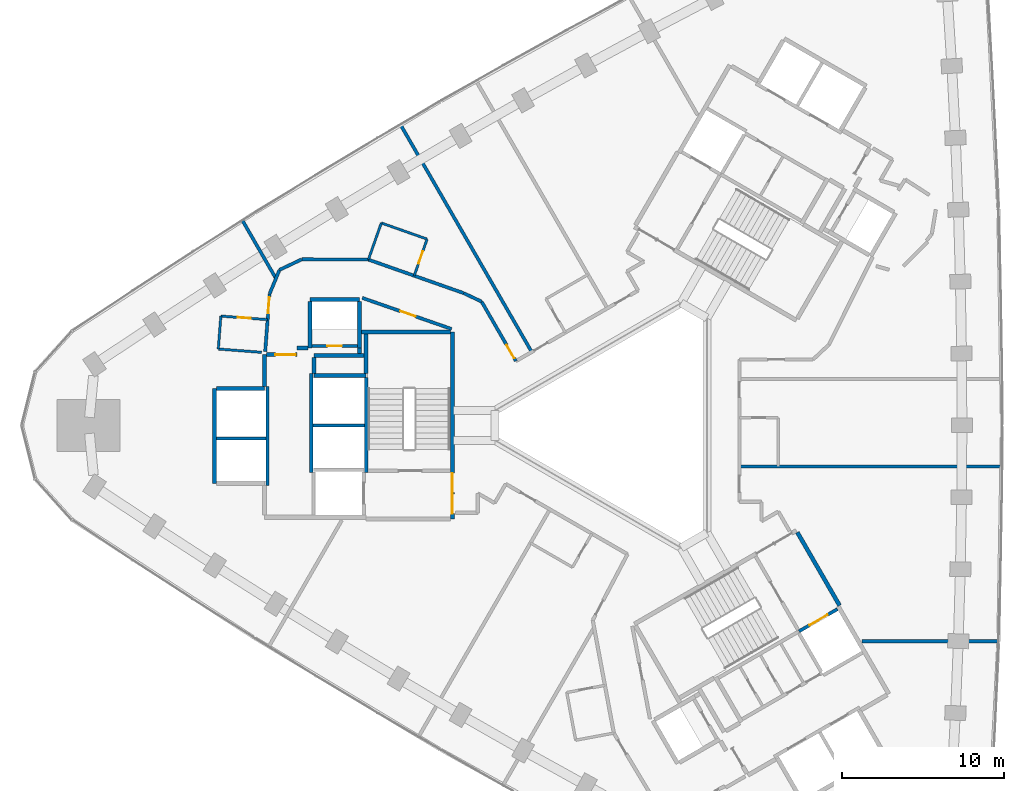
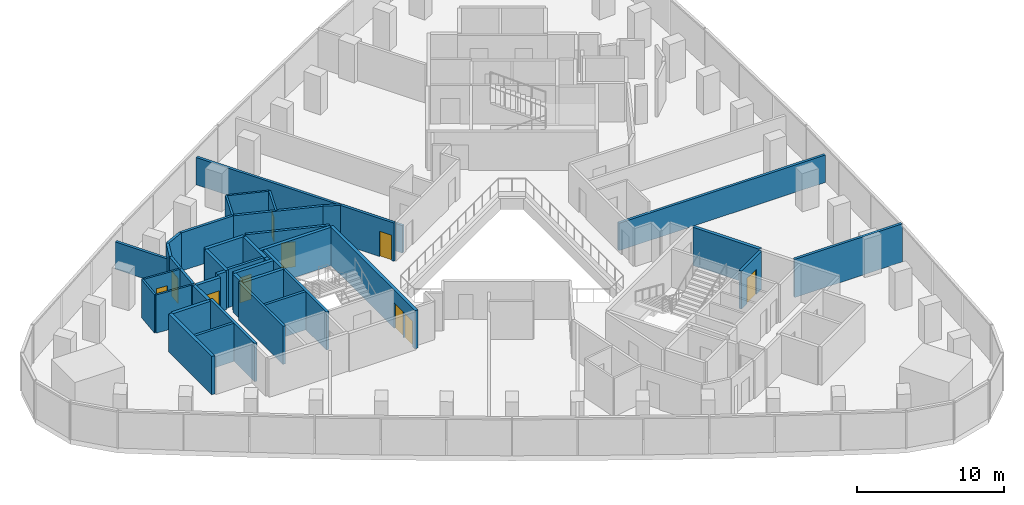
# One storey, part 9 of 12: 41 walls, 10 doors, 10 openings.
"""IFC4 building model written with IfcOpenShell, lengths in metres."""

from ifc_helpers import new_model, si_unit, direction, frame, frame_2d, origin, place, context, subcontext, project, spatial, rectangle, extrude, material, layer, layer_set, type_object, element, fill, save


model = new_model("IFC4")

# Units and contexts
model_context = context("Model", 3, precision=1e-05, world=origin(), true_north=direction((0.0, 1.0)))
body_context = subcontext(model_context, "Body", "Model", "MODEL_VIEW")
ifc_project = project(units=[si_unit("LENGTHUNIT", "METRE"), si_unit("AREAUNIT", "SQUARE_METRE"), si_unit("VOLUMEUNIT", "CUBIC_METRE"), si_unit("PLANEANGLEUNIT", "RADIAN"), si_unit("MASSUNIT", "GRAM", prefix="KILO")], contexts=[model_context])

# Site, building, storey
site_placement = place(None, origin())
site = spatial("IfcSite", under=ifc_project, at=site_placement, CompositionType="ELEMENT")
building_placement = place(site_placement, origin())
building = spatial("IfcBuilding", under=site, at=building_placement, Name="Tamra Quay Hotel Tower", CompositionType="ELEMENT")
storey_placement = place(building_placement, frame((0.0, 0.0, 93.800048828125)))
storey = spatial("IfcBuildingStorey", under=building, at=storey_placement, Name="L22", CompositionType="ELEMENT", Elevation=93.800048828125)

# Walls
ifc_material_1 = material(Name="Concrete M70", Category="concrete")
ifc_layer_1 = layer(ifc_material_1, 0.199951171875)
ifc_layer_set_1 = layer_set([ifc_layer_1], Name="Concrete M70 core wall 200")
wall_type_1 = type_object("IfcWallType", Name="Concrete M70 core wall 200", PredefinedType="SHEAR", material=ifc_layer_set_1)
wall_1_placement = place(storey_placement, frame((-16.162109375, 2.95068359375, 0.0), z_axis=(0.0, 0.0, 1.0), x_axis=(0.0, -1.0, 0.0)))
element("IfcWall", 1, at=wall_1_placement, inside=storey, type_object=wall_type_1, Name="CW2", PredefinedType="SHEAR", context=body_context, shape_type="SweptSolid", body=[
    extrude(rectangle(XDim=5.850830078125, YDim=0.199951171875, at=frame_2d((2.92529296875, 0.0))), origin(), (0.0, 0.0, 1.0), 3.175048828125),
])
for number, where, z_axis, x_axis, name in (
    (2, (-19.5625, -2.900146484375, 0.0), (0.0, 0.0, 1.0), (0.0, 1.0, 0.0), "CW2"),
    (3, (-22.26220703125, 2.400146484375, 0.0), (0.0, 0.0, 1.0), (0.0, -1.0, 0.0), "CW2"),
):
    element("IfcWall", number, at=place(storey_placement, frame(where, z_axis=z_axis, x_axis=x_axis)), inside=storey, type_object=wall_type_1, Name=name, PredefinedType="SHEAR", context=body_context, shape_type="SweptSolid", body=[
        extrude(rectangle(XDim=6.100341796875, YDim=0.199951171875, at=frame_2d((3.05029296875, 0.0))), origin(), (0.0, 0.0, 1.0), 3.175048828125),
    ])
wall_2_placement = place(storey_placement, frame((-16.26318359375, 0.0, 0.0), z_axis=(0.0, 0.0, 1.0), x_axis=(-1.0, 0.0, 0.0)))
element("IfcWall", 4, at=wall_2_placement, inside=storey, type_object=wall_type_1, Name="CW2", PredefinedType="SHEAR", context=body_context, shape_type="SweptSolid", body=[
    extrude(rectangle(XDim=3.1982421875, YDim=0.199951171875, at=frame_2d((1.59912109375, 0.0))), origin(), (0.0, 0.0, 1.0), 3.175048828125),
])
wall_3_placement = place(storey_placement, frame((-22.36328125, -0.800048828125, 0.0), z_axis=(0.0, 0.0, 1.0), x_axis=(-1.0, 0.0, 0.0)))
element("IfcWall", 5, at=wall_3_placement, inside=storey, type_object=wall_type_1, Name="CW2", PredefinedType="SHEAR", context=body_context, shape_type="SweptSolid", body=[
    extrude(rectangle(XDim=3.048095703125, YDim=0.199951171875, at=frame_2d((1.52392578125, 0.0))), origin(), (0.0, 0.0, 1.0), 3.175048828125),
])

# Wall, opening, door
wall_4_placement = place(storey_placement, frame((-19.51123046875, 4.91015625, 0.0), z_axis=(0.0, 0.0, 1.0), x_axis=(1.0, 0.0, 0.0)))
wall_4 = element("IfcWall", 6, at=wall_4_placement, inside=storey, type_object=wall_type_1, Name="CW2", PredefinedType="SHEAR", context=body_context, shape_type="SweptSolid", body=[
    extrude(rectangle(XDim=2.7978515625, YDim=0.199951171875, at=frame_2d((1.39892578125, 0.0))), origin(), (0.0, 0.0, 1.0), 3.175048828125),
])
opening_1_placement = place(wall_4_placement, frame((0.948974609375, 0.0, 0.0)))
opening_1 = element("IfcOpeningElement", 7, at=opening_1_placement, cuts=wall_4, Name="Opening D1", PredefinedType="OPENING", context=body_context, shape_type="SweptSolid", body=[
    extrude(rectangle(XDim=0.89990234375, YDim=2.10009765625, at=frame_2d((0.449951171875, 1.050048828125))), frame((0.0, 0.10986328125, 0.0), z_axis=(0.0, -1.0, 0.0), x_axis=(1.0, 0.0, 0.0)), (0.0, 0.0, 1.0), 0.219970703125),
])
ifc_material_2 = material(Name="Core door D1 900x2100 RH")
door_type_1 = type_object("IfcDoorType", Name="Core door D1 900x2100 RH", OperationType="NOTDEFINED", PredefinedType="DOOR", material=ifc_material_2)
door_1_placement = place(opening_1_placement, origin())
door_1 = element("IfcDoor", 8, at=door_1_placement, inside=storey, type_object=door_type_1, Name="D1", OperationType="SINGLE_SWING_RIGHT", OverallHeight=2.10009765625, OverallWidth=0.89990234375, PredefinedType="DOOR", context=body_context, shape_type="SweptSolid", body=[
    extrude(rectangle(XDim=0.89990234375, YDim=2.10009765625, at=frame_2d((0.449951171875, 1.050048828125))), frame((0.0, 0.02490234375, 0.0), z_axis=(0.0, -1.0, 0.0), x_axis=(1.0, 0.0, 0.0)), (0.0, 0.0, 1.0), 0.050048828125),
])
fill(opening_1, door_1)

wall_5_placement = place(storey_placement, frame((10.587158203125, -12.72314453125, 0.0), z_axis=(0.0, 0.0, 1.0), x_axis=(0.866037306777, 0.499979382845, 0.0)))
wall_5 = element("IfcWall", 9, at=wall_5_placement, inside=storey, type_object=wall_type_1, Name="CW2", PredefinedType="SHEAR", context=body_context, shape_type="SweptSolid", body=[
    extrude(rectangle(XDim=2.74169921875, YDim=0.199951171875, at=frame_2d((1.370849609375, 0.0))), origin(), (0.0, 0.0, 1.0), 3.175048828125),
])
opening_2_placement = place(wall_5_placement, frame((0.742919921875, 0.0, 0.0)))
opening_2 = element("IfcOpeningElement", 10, at=opening_2_placement, cuts=wall_5, Name="Opening LD", PredefinedType="OPENING", context=body_context, shape_type="SweptSolid", body=[
    extrude(rectangle(XDim=1.300048828125, YDim=2.10009765625, at=frame_2d((0.64990234375, 1.050048828125))), frame((0.0, 0.10986328125, 0.0), z_axis=(0.0, -1.0, 0.0), x_axis=(1.0, 0.0, 0.0)), (0.0, 0.0, 1.0), 0.219970703125),
])
ifc_material_3 = material(Name="Landing door LD 1300 sliding to right")
door_type_2 = type_object("IfcDoorType", Name="Landing door LD 1300 sliding to right", OperationType="NOTDEFINED", PredefinedType="DOOR", material=ifc_material_3)
door_2_placement = place(opening_2_placement, origin())
door_2 = element("IfcDoor", 11, at=door_2_placement, inside=storey, type_object=door_type_2, Name="LD", OperationType="SLIDING_TO_RIGHT", OverallHeight=2.10009765625, OverallWidth=1.300048828125, PredefinedType="DOOR", context=body_context, shape_type="SweptSolid", body=[
    extrude(rectangle(XDim=1.300048828125, YDim=2.10009765625, at=frame_2d((0.64990234375, 1.050048828125))), frame((0.0, 0.02490234375, 0.0), z_axis=(0.0, -1.0, 0.0), x_axis=(1.0, 0.0, 0.0)), (0.0, 0.0, 1.0), 0.050048828125),
])
fill(opening_2, door_2)

# Wall, openings, doors
ifc_layer_2 = layer(ifc_material_1, 0.25)
ifc_layer_set_2 = layer_set([ifc_layer_2], Name="Concrete M70 core wall 250")
wall_type_2 = type_object("IfcWallType", Name="Concrete M70 core wall 250", PredefinedType="SHEAR", material=ifc_layer_set_2)
wall_6_placement = place(storey_placement, frame((-10.83740234375, 5.77490234375, 0.0), z_axis=(0.0, 0.0, 1.0), x_axis=(0.0, -1.0, 0.0)))
wall_6 = element("IfcWall", 12, at=wall_6_placement, inside=storey, type_object=wall_type_2, Name="CW1", PredefinedType="SHEAR", context=body_context, shape_type="SweptSolid", body=[
    extrude(rectangle(XDim=11.5498046875, YDim=0.25, at=frame_2d((5.77490234375, 0.0))), origin(), (0.0, 0.0, 1.0), 3.175048828125),
])
opening_3_placement = place(wall_6_placement, frame((10.02490234375, 0.0, 0.0)))
opening_3 = element("IfcOpeningElement", 13, at=opening_3_placement, cuts=wall_6, Name="Opening FD1", PredefinedType="OPENING", context=body_context, shape_type="SweptSolid", body=[
    extrude(rectangle(XDim=1.199951171875, YDim=2.10009765625, at=frame_2d((0.60009765625, 1.050048828125))), frame((0.0, 0.135009765625, 0.0), z_axis=(0.0, -1.0, 0.0), x_axis=(1.0, 0.0, 0.0)), (0.0, 0.0, 1.0), 0.27001953125),
])
opening_4_placement = place(wall_6_placement, frame((8.72509765625, 0.0, 0.0)))
opening_4 = element("IfcOpeningElement", 14, at=opening_4_placement, cuts=wall_6, Name="Opening FD1", PredefinedType="OPENING", context=body_context, shape_type="SweptSolid", body=[
    extrude(rectangle(XDim=1.199951171875, YDim=2.10009765625, at=frame_2d((0.60009765625, 1.050048828125))), frame((0.0, 0.135009765625, 0.0), z_axis=(0.0, -1.0, 0.0), x_axis=(1.0, 0.0, 0.0)), (0.0, 0.0, 1.0), 0.27001953125),
])
ifc_material_4 = material(Name="Core door FD1 1200x2100 LH")
door_type_3 = type_object("IfcDoorType", Name="Core door FD1 1200x2100 LH", OperationType="NOTDEFINED", PredefinedType="DOOR", material=ifc_material_4)
door_3_placement = place(opening_3_placement, origin())
door_3 = element("IfcDoor", 15, at=door_3_placement, inside=storey, type_object=door_type_3, Name="FD1", OperationType="SINGLE_SWING_LEFT", OverallHeight=2.10009765625, OverallWidth=1.199951171875, PredefinedType="DOOR", context=body_context, shape_type="SweptSolid", body=[
    extrude(rectangle(XDim=1.199951171875, YDim=2.10009765625, at=frame_2d((0.60009765625, 1.050048828125))), frame((0.0, 0.02490234375, 0.0), z_axis=(0.0, -1.0, 0.0), x_axis=(1.0, 0.0, 0.0)), (0.0, 0.0, 1.0), 0.050048828125),
])
fill(opening_3, door_3)
ifc_material_5 = material(Name="Core door FD1 1200x2100 RH")
door_type_4 = type_object("IfcDoorType", Name="Core door FD1 1200x2100 RH", OperationType="NOTDEFINED", PredefinedType="DOOR", material=ifc_material_5)
door_4_placement = place(opening_4_placement, origin())
door_4 = element("IfcDoor", 16, at=door_4_placement, inside=storey, type_object=door_type_4, Name="FD1", OperationType="SINGLE_SWING_RIGHT", OverallHeight=2.10009765625, OverallWidth=1.199951171875, PredefinedType="DOOR", context=body_context, shape_type="SweptSolid", body=[
    extrude(rectangle(XDim=1.199951171875, YDim=2.10009765625, at=frame_2d((0.60009765625, 1.050048828125))), frame((0.0, 0.02490234375, 0.0), z_axis=(0.0, -1.0, 0.0), x_axis=(1.0, 0.0, 0.0)), (0.0, 0.0, 1.0), 0.050048828125),
])
fill(opening_4, door_4)

# Walls
wall_7_placement = place(storey_placement, frame((-25.537353515625, -3.574951171875, 0.0), z_axis=(0.0, 0.0, 1.0), x_axis=(0.0, 1.0, 0.0)))
element("IfcWall", 17, at=wall_7_placement, inside=storey, type_object=wall_type_2, Name="CW1", PredefinedType="SHEAR", context=body_context, shape_type="SweptSolid", body=[
    extrude(rectangle(XDim=5.849853515625, YDim=0.25, at=frame_2d((2.9248046875, 0.0))), origin(), (0.0, 0.0, 1.0), 3.175048828125),
])
wall_8_placement = place(storey_placement, frame((-16.47216796875, 5.77490234375, 0.0), z_axis=(0.0, 0.0, 1.0), x_axis=(1.0, 0.0, 0.0)))
element("IfcWall", 18, at=wall_8_placement, inside=storey, type_object=wall_type_2, Name="CW1", PredefinedType="SHEAR", context=body_context, shape_type="SweptSolid", body=[
    extrude(rectangle(XDim=5.509521484375, YDim=0.25, at=frame_2d((2.7548828125, 0.0))), origin(), (0.0, 0.0, 1.0), 3.175048828125),
])
wall_9_placement = place(storey_placement, frame((-19.38720703125, 3.074951171875, 0.0), z_axis=(0.0, 0.0, 1.0), x_axis=(1.0, 0.0, 0.0)))
element("IfcWall", 19, at=wall_9_placement, inside=storey, type_object=wall_type_2, Name="CW1", PredefinedType="SHEAR", context=body_context, shape_type="SweptSolid", body=[
    extrude(rectangle(XDim=3.199951171875, YDim=0.25, at=frame_2d((1.60009765625, 0.0))), origin(), (0.0, 0.0, 1.0), 3.175048828125),
])
wall_10_placement = place(storey_placement, frame((-25.411865234375, 2.27490234375, 0.0), z_axis=(0.0, 0.0, 1.0), x_axis=(1.0, 0.0, 0.0)))
element("IfcWall", 20, at=wall_10_placement, inside=storey, type_object=wall_type_2, Name="CW1", PredefinedType="SHEAR", context=body_context, shape_type="SweptSolid", body=[
    extrude(rectangle(XDim=2.974609375, YDim=0.25, at=frame_2d((1.4873046875, 0.0))), origin(), (0.0, 0.0, 1.0), 3.175048828125),
])
wall_11_placement = place(storey_placement, frame((-19.63720703125, 7.77490234375, 0.0), z_axis=(0.0, 0.0, 1.0), x_axis=(1.0, 0.0, 0.0)))
element("IfcWall", 21, at=wall_11_placement, inside=storey, type_object=wall_type_2, Name="CW1", PredefinedType="SHEAR", context=body_context, shape_type="SweptSolid", body=[
    extrude(rectangle(XDim=3.0498046875, YDim=0.25, at=frame_2d((1.52490234375, 0.0))), origin(), (0.0, 0.0, 1.0), 3.175048828125),
])
for number, where, z_axis, x_axis, name in (
    (22, (-16.58740234375, 7.649658203125, 0.0), (0.0, 0.0, 1.0), (0.0, -1.0, 0.0), "CW1"),
    (23, (-19.63720703125, 4.784912109375, 0.0), (0.0, 0.0, 1.0), (0.0, 1.0, 0.0), "CW1"),
):
    element("IfcWall", number, at=place(storey_placement, frame(where, z_axis=z_axis, x_axis=x_axis)), inside=storey, type_object=wall_type_2, Name=name, PredefinedType="SHEAR", context=body_context, shape_type="SweptSolid", body=[
        extrude(rectangle(XDim=2.86474609375, YDim=0.25, at=frame_2d((1.432373046875, 0.0))), origin(), (0.0, 0.0, 1.0), 3.175048828125),
    ])
wall_12_placement = place(storey_placement, frame((-16.30224609375, 4.31494140625, 0.0), z_axis=(0.0, 0.0, 1.0), x_axis=(-1.0, 0.0, 0.0)))
element("IfcWall", 24, at=wall_12_placement, inside=storey, type_object=wall_type_2, Name="CW1", PredefinedType="SHEAR", context=body_context, shape_type="SweptSolid", body=[
    extrude(rectangle(XDim=3.0849609375, YDim=0.25, at=frame_2d((1.54248046875, 0.0))), origin(), (0.0, 0.0, 1.0), 3.175048828125),
])
wall_13_placement = place(storey_placement, frame((-16.187255859375, 3.200439453125, 0.0), z_axis=(0.0, 0.0, 1.0), x_axis=(0.0, 1.0, 0.0)))
element("IfcWall", 25, at=wall_13_placement, inside=storey, type_object=wall_type_2, Name="CW1", PredefinedType="SHEAR", context=body_context, shape_type="SweptSolid", body=[
    extrude(rectangle(XDim=2.44921875, YDim=0.25, at=frame_2d((1.224609375, 0.0))), origin(), (0.0, 0.0, 1.0), 3.175048828125),
])
wall_14_placement = place(storey_placement, frame((-22.437255859375, 2.400390625, 0.0), z_axis=(0.0, 0.0, 1.0), x_axis=(0.0, 1.0, 0.0)))
element("IfcWall", 26, at=wall_14_placement, inside=storey, type_object=wall_type_2, Name="CW1", PredefinedType="SHEAR", context=body_context, shape_type="SweptSolid", body=[
    extrude(rectangle(XDim=1.974609375, YDim=0.25, at=frame_2d((0.9873046875, 0.0))), origin(), (0.0, 0.0, 1.0), 3.175048828125),
])

# Wall, opening, door
wall_15_placement = place(storey_placement, frame((-22.311767578125, 4.375, 0.0), z_axis=(0.0, 0.0, 1.0), x_axis=(1.0, 0.0, 0.0)))
wall_15 = element("IfcWall", 27, at=wall_15_placement, inside=storey, type_object=wall_type_2, Name="CW1", PredefinedType="SHEAR", context=body_context, shape_type="SweptSolid", body=[
    extrude(rectangle(XDim=1.864501953125, YDim=0.25, at=frame_2d((0.93212890625, 0.0))), origin(), (0.0, 0.0, 1.0), 3.175048828125),
])
opening_5_placement = place(wall_15_placement, frame((0.53466796875, 0.0, 0.0)))
opening_5 = element("IfcOpeningElement", 28, at=opening_5_placement, cuts=wall_15, Name="Opening FD3", PredefinedType="OPENING", context=body_context, shape_type="SweptSolid", body=[
    extrude(rectangle(XDim=1.25, YDim=2.10009765625, at=frame_2d((0.625, 1.050048828125))), frame((0.0, 0.135009765625, 0.0), z_axis=(0.0, -1.0, 0.0), x_axis=(1.0, 0.0, 0.0)), (0.0, 0.0, 1.0), 0.27001953125),
])
ifc_material_6 = material(Name="Core door FD3 1250x2100 LH")
door_type_5 = type_object("IfcDoorType", Name="Core door FD3 1250x2100 LH", OperationType="NOTDEFINED", PredefinedType="DOOR", material=ifc_material_6)
door_5_placement = place(opening_5_placement, origin())
door_5 = element("IfcDoor", 29, at=door_5_placement, inside=storey, type_object=door_type_5, Name="FD3", OperationType="SINGLE_SWING_LEFT", OverallHeight=2.10009765625, OverallWidth=1.25, PredefinedType="DOOR", context=body_context, shape_type="SweptSolid", body=[
    extrude(rectangle(XDim=1.25, YDim=2.10009765625, at=frame_2d((0.625, 1.050048828125))), frame((0.0, 0.02490234375, 0.0), z_axis=(0.0, -1.0, 0.0), x_axis=(1.0, 0.0, 0.0)), (0.0, 0.0, 1.0), 0.050048828125),
])
fill(opening_5, door_5)

# Walls
wall_16_placement = place(storey_placement, frame((-19.38720703125, 4.189697265625, 0.0), z_axis=(0.0, 0.0, 1.0), x_axis=(0.0, -1.0, 0.0)))
element("IfcWall", 30, at=wall_16_placement, inside=storey, type_object=wall_type_2, Name="CW1", PredefinedType="SHEAR", context=body_context, shape_type="SweptSolid", body=[
    extrude(rectangle(XDim=0.9892578125, YDim=0.25, at=frame_2d((0.49462890625, 0.0))), origin(), (0.0, 0.0, 1.0), 3.175048828125),
])
wall_17_placement = place(storey_placement, frame((-20.447265625, 4.784912109375, 0.0), z_axis=(0.0, 0.0, 1.0), x_axis=(1.0, 0.0, 0.0)))
element("IfcWall", 31, at=wall_17_placement, inside=storey, type_object=wall_type_2, Name="CW1", PredefinedType="SHEAR", context=body_context, shape_type="SweptSolid", body=[
    extrude(rectangle(XDim=0.6845703125, YDim=0.25, at=frame_2d((0.34228515625, 0.0))), origin(), (0.0, 0.0, 1.0), 3.175048828125),
])
wall_18_placement = place(storey_placement, frame((-16.577392578125, 4.784912109375, 0.0), z_axis=(0.0, 0.0, 1.0), x_axis=(0.0, -1.0, 0.0)))
element("IfcWall", 32, at=wall_18_placement, inside=storey, type_object=wall_type_2, Name="CW1", PredefinedType="SHEAR", context=body_context, shape_type="SweptSolid", body=[
    extrude(rectangle(XDim=0.344482421875, YDim=0.25, at=frame_2d((0.17236328125, 0.0))), origin(), (0.0, 0.0, 1.0), 3.175048828125),
])
wall_19_placement = place(storey_placement, frame((10.482666015625, -6.6064453125, 0.0), z_axis=(0.0, 0.0, 1.0), x_axis=(0.49999885962, -0.866026062182, 0.0)))
element("IfcWall", 33, at=wall_19_placement, inside=storey, type_object=wall_type_2, Name="CW1", PredefinedType="SHEAR", context=body_context, shape_type="SweptSolid", body=[
    extrude(rectangle(XDim=5.224609375, YDim=0.25, at=frame_2d((2.6123046875, 0.0))), origin(), (0.0, 0.0, 1.0), 3.175048828125),
])

# Wall, opening, door
ifc_material_7 = material(Name="Partition corridor wall")
ifc_layer_3 = layer(ifc_material_7, 0.199951171875)
ifc_layer_set_3 = layer_set([ifc_layer_3], Name="Partition corridor wall")
wall_type_3 = type_object("IfcWallType", Name="Partition corridor wall", PredefinedType="PARTITIONING", material=ifc_layer_set_3)
wall_20_placement = place(storey_placement, frame((-22.40625, 4.56005859375, 0.0), z_axis=(0.0, 0.0, 1.0), x_axis=(0.075763016136, 0.997125852331, 0.0)))
wall_20 = element("IfcWall", 34, at=wall_20_placement, inside=storey, type_object=wall_type_3, Name="W-C", PredefinedType="PARTITIONING", context=body_context, shape_type="SweptSolid", body=[
    extrude(rectangle(XDim=3.580078125, YDim=0.199951171875, at=frame_2d((1.7900390625, 0.0))), origin(), (0.0, 0.0, 1.0), 3.175048828125),
])
opening_6_placement = place(wall_20_placement, frame((2.38037109375, 0.0, 0.0)))
opening_6 = element("IfcOpeningElement", 35, at=opening_6_placement, cuts=wall_20, Name="Opening L22-D011", PredefinedType="OPENING", context=body_context, shape_type="SweptSolid", body=[
    extrude(rectangle(XDim=1.0, YDim=2.10009765625, at=frame_2d((0.5, 1.050048828125))), frame((0.0, 0.10986328125, 0.0), z_axis=(0.0, -1.0, 0.0), x_axis=(1.0, 0.0, 0.0)), (0.0, 0.0, 1.0), 0.219970703125),
])
ifc_material_8 = material(Name="Door guest room 1000x2100")
door_type_6 = type_object("IfcDoorType", Name="Door guest room 1000x2100", OperationType="NOTDEFINED", PredefinedType="DOOR", material=ifc_material_8)
door_6_placement = place(opening_6_placement, origin())
door_6 = element("IfcDoor", 36, at=door_6_placement, inside=storey, type_object=door_type_6, Name="L22-D011", OperationType="SINGLE_SWING_LEFT", OverallHeight=2.10009765625, OverallWidth=1.0, PredefinedType="DOOR", context=body_context, shape_type="SweptSolid", body=[
    extrude(rectangle(XDim=1.0, YDim=2.10009765625, at=frame_2d((0.5, 1.050048828125))), frame((0.0, 0.02490234375, 0.0), z_axis=(0.0, -1.0, 0.0), x_axis=(1.0, 0.0, 0.0)), (0.0, 0.0, 1.0), 0.050048828125),
])
fill(opening_6, door_6)

# Walls
wall_21_placement = place(storey_placement, frame((-22.13330078125, 8.13330078125, 0.0), z_axis=(0.0, 0.0, 1.0), x_axis=(0.382136457598, 0.924105907229, 0.0)))
element("IfcWall", 37, at=wall_21_placement, inside=storey, type_object=wall_type_3, Name="W-C", PredefinedType="PARTITIONING", context=body_context, shape_type="SweptSolid", body=[
    extrude(rectangle(XDim=1.602294921875, YDim=0.199951171875, at=frame_2d((0.80126953125, 0.0))), origin(), (0.0, 0.0, 1.0), 3.175048828125),
])
wall_22_placement = place(storey_placement, frame((-21.52099609375, 9.614013671875, 0.0), z_axis=(0.0, 0.0, 1.0), x_axis=(0.904083527367, 0.427355795028, 0.0)))
element("IfcWall", 38, at=wall_22_placement, inside=storey, type_object=wall_type_3, Name="W-C", PredefinedType="PARTITIONING", context=body_context, shape_type="SweptSolid", body=[
    extrude(rectangle(XDim=1.52294921875, YDim=0.199951171875, at=frame_2d((0.761474609375, 0.0))), origin(), (0.0, 0.0, 1.0), 3.175048828125),
])
wall_23_placement = place(storey_placement, frame((-20.14306640625, 10.26611328125, 0.0), z_axis=(0.0, 0.0, 1.0), x_axis=(0.999989297417, -0.004626559416, 0.0)))
element("IfcWall", 39, at=wall_23_placement, inside=storey, type_object=wall_type_3, Name="W-C", PredefinedType="PARTITIONING", context=body_context, shape_type="SweptSolid", body=[
    extrude(rectangle(XDim=4.115966796875, YDim=0.199951171875, at=frame_2d((2.05810546875, 0.0))), origin(), (0.0, 0.0, 1.0), 3.175048828125),
])

# Wall, opening, door
wall_24_placement = place(storey_placement, frame((-16.40234375, 7.879150390625, 0.0), z_axis=(0.0, 0.0, 1.0), x_axis=(0.94449961557, -0.328512520596, 0.0)))
wall_24 = element("IfcWall", 40, at=wall_24_placement, inside=storey, type_object=wall_type_3, Name="W-C", PredefinedType="PARTITIONING", context=body_context, shape_type="SweptSolid", body=[
    extrude(rectangle(XDim=5.842041015625, YDim=0.199951171875, at=frame_2d((2.9208984375, 0.0))), origin(), (0.0, 0.0, 1.0), 3.175048828125),
])
opening_7_placement = place(wall_24_placement, frame((2.47900390625, 0.0, 0.0)))
opening_7 = element("IfcOpeningElement", 41, at=opening_7_placement, cuts=wall_24, Name="Opening L22-D008", PredefinedType="OPENING", context=body_context, shape_type="SweptSolid", body=[
    extrude(rectangle(XDim=1.0, YDim=2.10009765625, at=frame_2d((0.5, 1.050048828125))), frame((0.0, 0.10986328125, 0.0), z_axis=(0.0, -1.0, 0.0), x_axis=(1.0, 0.0, 0.0)), (0.0, 0.0, 1.0), 0.219970703125),
])
door_7_placement = place(opening_7_placement, frame((1.0, 0.0, 0.0), z_axis=(0.0, 0.0, 1.0), x_axis=(-1.0, 0.0, 0.0)))
door_7 = element("IfcDoor", 42, at=door_7_placement, inside=storey, type_object=door_type_6, Name="L22-D008", OperationType="SINGLE_SWING_LEFT", OverallHeight=2.10009765625, OverallWidth=1.0, PredefinedType="DOOR", context=body_context, shape_type="SweptSolid", body=[
    extrude(rectangle(XDim=1.0, YDim=2.10009765625, at=frame_2d((0.5, 1.050048828125))), frame((0.0, 0.02490234375, 0.0), z_axis=(0.0, -1.0, 0.0), x_axis=(1.0, 0.0, 0.0)), (0.0, 0.0, 1.0), 0.050048828125),
])
fill(opening_7, door_7)

# Walls
wall_25_placement = place(storey_placement, frame((-16.026123046875, 10.246826171875, 0.0), z_axis=(0.0, 0.0, 1.0), x_axis=(0.943319426768, -0.331886214057, 0.0)))
element("IfcWall", 43, at=wall_25_placement, inside=storey, type_object=wall_type_3, Name="W-C", PredefinedType="PARTITIONING", context=body_context, shape_type="SweptSolid", body=[
    extrude(rectangle(XDim=6.236572265625, YDim=0.199951171875, at=frame_2d((3.1181640625, 0.0))), origin(), (0.0, 0.0, 1.0), 3.175048828125),
])
wall_26_placement = place(storey_placement, frame((-10.14306640625, 8.177001953125, 0.0), z_axis=(0.0, 0.0, 1.0), x_axis=(0.904033154172, -0.427462344726, 0.0)))
element("IfcWall", 44, at=wall_26_placement, inside=storey, type_object=wall_type_3, Name="W-C", PredefinedType="PARTITIONING", context=body_context, shape_type="SweptSolid", body=[
    extrude(rectangle(XDim=1.22802734375, YDim=0.199951171875, at=frame_2d((0.614013671875, 0.0))), origin(), (0.0, 0.0, 1.0), 3.175048828125),
])

# Wall, opening, door
wall_27_placement = place(storey_placement, frame((-9.032958984375, 7.652099609375, 0.0), z_axis=(0.0, 0.0, 1.0), x_axis=(0.500049463259, -0.865996844275, 0.0)))
wall_27 = element("IfcWall", 45, at=wall_27_placement, inside=storey, type_object=wall_type_3, Name="W-C", PredefinedType="PARTITIONING", context=body_context, shape_type="SweptSolid", body=[
    extrude(rectangle(XDim=4.24365234375, YDim=0.199951171875, at=frame_2d((2.121826171875, 0.0))), origin(), (0.0, 0.0, 1.0), 3.175048828125),
])
opening_8_placement = place(wall_27_placement, frame((3.093505859375, 0.0, 0.0)))
opening_8 = element("IfcOpeningElement", 46, at=opening_8_placement, cuts=wall_27, Name="Opening L22-D009", PredefinedType="OPENING", context=body_context, shape_type="SweptSolid", body=[
    extrude(rectangle(XDim=0.949951171875, YDim=2.10009765625, at=frame_2d((0.47509765625, 1.050048828125))), frame((0.0, 0.10986328125, 0.0), z_axis=(0.0, -1.0, 0.0), x_axis=(1.0, 0.0, 0.0)), (0.0, 0.0, 1.0), 0.219970703125),
])
ifc_material_9 = material(Name="Door guest room 950x2100")
door_type_7 = type_object("IfcDoorType", Name="Door guest room 950x2100", OperationType="NOTDEFINED", PredefinedType="DOOR", material=ifc_material_9)
door_8_placement = place(opening_8_placement, frame((0.949951171875, 0.0, 0.0), z_axis=(0.0, 0.0, 1.0), x_axis=(-1.0, 0.0, 0.0)))
door_8 = element("IfcDoor", 47, at=door_8_placement, inside=storey, type_object=door_type_7, Name="L22-D009", OperationType="SINGLE_SWING_LEFT", OverallHeight=2.10009765625, OverallWidth=0.949951171875, PredefinedType="DOOR", context=body_context, shape_type="SweptSolid", body=[
    extrude(rectangle(XDim=0.949951171875, YDim=2.10009765625, at=frame_2d((0.47509765625, 1.050048828125))), frame((0.0, 0.02490234375, 0.0), z_axis=(0.0, -1.0, 0.0), x_axis=(1.0, 0.0, 0.0)), (0.0, 0.0, 1.0), 0.050048828125),
])
fill(opening_8, door_8)

# Walls
ifc_material_10 = material(Name="Partition en-suite wall")
ifc_layer_4 = layer(ifc_material_10, 0.14990234375)
ifc_layer_set_4 = layer_set([ifc_layer_4], Name="Partition en-suite wall")
wall_type_4 = type_object("IfcWallType", Name="Partition en-suite wall", PredefinedType="PARTITIONING", material=ifc_layer_set_4)
wall_28_placement = place(storey_placement, frame((-25.303955078125, 4.72412109375, 0.0), z_axis=(0.0, 0.0, 1.0), x_axis=(0.07659566833, 0.99706223657, 0.0)))
element("IfcWall", 48, at=wall_28_placement, inside=storey, type_object=wall_type_4, Name="W-E", PredefinedType="PARTITIONING", context=body_context, shape_type="SweptSolid", body=[
    extrude(rectangle(XDim=2.036865234375, YDim=0.14990234375, at=frame_2d((1.0185546875, 0.0))), origin(), (0.0, 0.0, 1.0), 3.175048828125),
])
wall_29_placement = place(storey_placement, frame((-25.302001953125, 4.721923828125, 0.0), z_axis=(0.0, 0.0, 1.0), x_axis=(0.997091241798, -0.076217160338, 0.0)))
element("IfcWall", 49, at=wall_29_placement, inside=storey, type_object=wall_type_4, Name="W-E", PredefinedType="PARTITIONING", context=body_context, shape_type="SweptSolid", body=[
    extrude(rectangle(XDim=2.6875, YDim=0.14990234375, at=frame_2d((1.34375, 0.0))), origin(), (0.0, 0.0, 1.0), 3.175048828125),
])

# Wall, opening, door
wall_30_placement = place(storey_placement, frame((-25.14599609375, 6.757080078125, 0.0), z_axis=(0.0, 0.0, 1.0), x_axis=(0.997113667183, -0.075923215933, 0.0)))
wall_30 = element("IfcWall", 50, at=wall_30_placement, inside=storey, type_object=wall_type_4, Name="W-E", PredefinedType="PARTITIONING", context=body_context, shape_type="SweptSolid", body=[
    extrude(rectangle(XDim=2.897216796875, YDim=0.14990234375, at=frame_2d((1.44873046875, 0.0))), origin(), (0.0, 0.0, 1.0), 3.175048828125),
])
opening_9_placement = place(wall_30_placement, frame((1.047607421875, 0.0, 0.0)))
opening_9 = element("IfcOpeningElement", 51, at=opening_9_placement, cuts=wall_30, Name="Opening L22-D012", PredefinedType="OPENING", context=body_context, shape_type="SweptSolid", body=[
    extrude(rectangle(XDim=0.800048828125, YDim=2.10009765625, at=frame_2d((0.39990234375, 1.050048828125))), frame((0.0, 0.0849609375, 0.0), z_axis=(0.0, -1.0, 0.0), x_axis=(1.0, 0.0, 0.0)), (0.0, 0.0, 1.0), 0.169921875),
])
ifc_material_11 = material(Name="Door en-suite 800x2100")
door_type_8 = type_object("IfcDoorType", Name="Door en-suite 800x2100", OperationType="NOTDEFINED", PredefinedType="DOOR", material=ifc_material_11)
door_9_placement = place(opening_9_placement, frame((0.800048828125, 0.0, 0.0), z_axis=(0.0, 0.0, 1.0), x_axis=(-1.0, 0.0, 0.0)))
door_9 = element("IfcDoor", 52, at=door_9_placement, inside=storey, type_object=door_type_8, Name="L22-D012", OperationType="SINGLE_SWING_LEFT", OverallHeight=2.10009765625, OverallWidth=0.800048828125, PredefinedType="DOOR", context=body_context, shape_type="SweptSolid", body=[
    extrude(rectangle(XDim=0.800048828125, YDim=2.10009765625, at=frame_2d((0.39990234375, 1.050048828125))), frame((0.0, 0.02490234375, 0.0), z_axis=(0.0, -1.0, 0.0), x_axis=(1.0, 0.0, 0.0)), (0.0, 0.0, 1.0), 0.050048828125),
])
fill(opening_9, door_9)

# Walls
wall_31_placement = place(storey_placement, frame((-16.02587890625, 10.2470703125, 0.0), z_axis=(0.0, 0.0, 1.0), x_axis=(0.332021869032, 0.943271688584, 0.0)))
element("IfcWall", 53, at=wall_31_placement, inside=storey, type_object=wall_type_4, Name="W-E", PredefinedType="PARTITIONING", context=body_context, shape_type="SweptSolid", body=[
    extrude(rectangle(XDim=2.400146484375, YDim=0.14990234375, at=frame_2d((1.2001953125, 0.0))), origin(), (0.0, 0.0, 1.0), 3.175048828125),
])
wall_32_placement = place(storey_placement, frame((-15.22900390625, 12.510986328125, 0.0), z_axis=(0.0, 0.0, 1.0), x_axis=(0.943278416238, -0.332002755198, 0.0)))
element("IfcWall", 54, at=wall_32_placement, inside=storey, type_object=wall_type_4, Name="W-E", PredefinedType="PARTITIONING", context=body_context, shape_type="SweptSolid", body=[
    extrude(rectangle(XDim=3.000244140625, YDim=0.14990234375, at=frame_2d((1.5, 0.0))), origin(), (0.0, 0.0, 1.0), 3.175048828125),
])

# Wall, opening, door
wall_33_placement = place(storey_placement, frame((-13.196044921875, 9.2509765625, 0.0), z_axis=(0.0, 0.0, 1.0), x_axis=(0.332112373108, 0.943239827207, 0.0)))
wall_33 = element("IfcWall", 55, at=wall_33_placement, inside=storey, type_object=wall_type_4, Name="W-E", PredefinedType="PARTITIONING", context=body_context, shape_type="SweptSolid", body=[
    extrude(rectangle(XDim=2.400146484375, YDim=0.14990234375, at=frame_2d((1.2001953125, 0.0))), origin(), (0.0, 0.0, 1.0), 3.175048828125),
])
opening_10_placement = place(wall_33_placement, frame((0.800048828125, 0.0, 0.0)))
opening_10 = element("IfcOpeningElement", 56, at=opening_10_placement, cuts=wall_33, Name="Opening L22-D010", PredefinedType="OPENING", context=body_context, shape_type="SweptSolid", body=[
    extrude(rectangle(XDim=0.800048828125, YDim=2.10009765625, at=frame_2d((0.39990234375, 1.050048828125))), frame((0.0, 0.0849609375, 0.0), z_axis=(0.0, -1.0, 0.0), x_axis=(1.0, 0.0, 0.0)), (0.0, 0.0, 1.0), 0.169921875),
])
door_10_placement = place(opening_10_placement, origin())
door_10 = element("IfcDoor", 57, at=door_10_placement, inside=storey, type_object=door_type_8, Name="L22-D010", OperationType="SINGLE_SWING_LEFT", OverallHeight=2.10009765625, OverallWidth=0.800048828125, PredefinedType="DOOR", context=body_context, shape_type="SweptSolid", body=[
    extrude(rectangle(XDim=0.800048828125, YDim=2.10009765625, at=frame_2d((0.39990234375, 1.050048828125))), frame((0.0, 0.02490234375, 0.0), z_axis=(0.0, -1.0, 0.0), x_axis=(1.0, 0.0, 0.0)), (0.0, 0.0, 1.0), 0.050048828125),
])
fill(opening_10, door_10)

# Walls
ifc_material_12 = material(Name="Partition party wall")
ifc_layer_5 = layer(ifc_material_12, 0.199951171875)
ifc_layer_set_5 = layer_set([ifc_layer_5], Name="Partition party wall")
wall_type_5 = type_object("IfcWallType", Name="Partition party wall", PredefinedType="PARTITIONING", material=ifc_layer_set_5)
wall_34_placement = place(storey_placement, frame((-23.811767578125, 12.666259765625, 0.0), z_axis=(0.0, 0.0, 1.0), x_axis=(0.499982807329, -0.86603532975, 0.0)))
element("IfcWall", 58, at=wall_34_placement, inside=storey, type_object=wall_type_5, Name="W-P", PredefinedType="PARTITIONING", context=body_context, shape_type="SweptSolid", body=[
    extrude(rectangle(XDim=4.139892578125, YDim=0.199951171875, at=frame_2d((2.06982421875, 0.0))), origin(), (0.0, 0.0, 1.0), 2.27490234375),
])
wall_35_placement = place(storey_placement, frame((-14.04541015625, 18.591552734375, 0.0), z_axis=(0.0, 0.0, 1.0), x_axis=(0.499991242065, -0.866030460122, 0.0)))
element("IfcWall", 59, at=wall_35_placement, inside=storey, type_object=wall_type_5, Name="W-P", PredefinedType="PARTITIONING", context=body_context, shape_type="SweptSolid", body=[
    extrude(rectangle(XDim=16.222900390625, YDim=0.199951171875, at=frame_2d((8.111328125, 0.0))), origin(), (0.0, 0.0, 1.0), 2.27490234375),
])
wall_36_placement = place(storey_placement, frame((6.90087890625, -2.531982421875, 0.0), z_axis=(0.0, 0.0, 1.0), x_axis=(1.0, 0.0, 0.0)))
element("IfcWall", 60, at=wall_36_placement, inside=storey, type_object=wall_type_5, Name="W-P", PredefinedType="PARTITIONING", context=body_context, shape_type="SweptSolid", body=[
    extrude(rectangle(XDim=16.224365234375, YDim=0.199951171875, at=frame_2d((8.1123046875, 0.0))), origin(), (0.0, 0.0, 1.0), 2.27490234375),
])
wall_37_placement = place(storey_placement, frame((14.4638671875, -13.33203125, 0.0), z_axis=(0.0, 0.0, 1.0), x_axis=(1.0, 0.0, 0.0)))
element("IfcWall", 61, at=wall_37_placement, inside=storey, type_object=wall_type_5, Name="W-P", PredefinedType="PARTITIONING", context=body_context, shape_type="SweptSolid", body=[
    extrude(rectangle(XDim=8.448486328125, YDim=0.199951171875, at=frame_2d((4.22412109375, 0.0))), origin(), (0.0, 0.0, 1.0), 3.175048828125),
])

save(model, "model.ifc")
